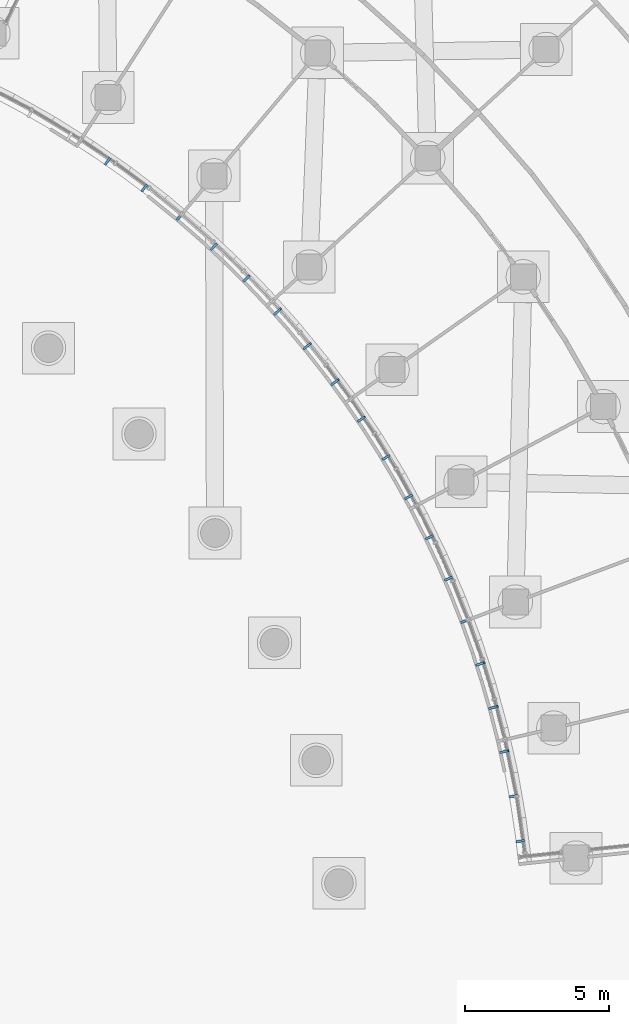
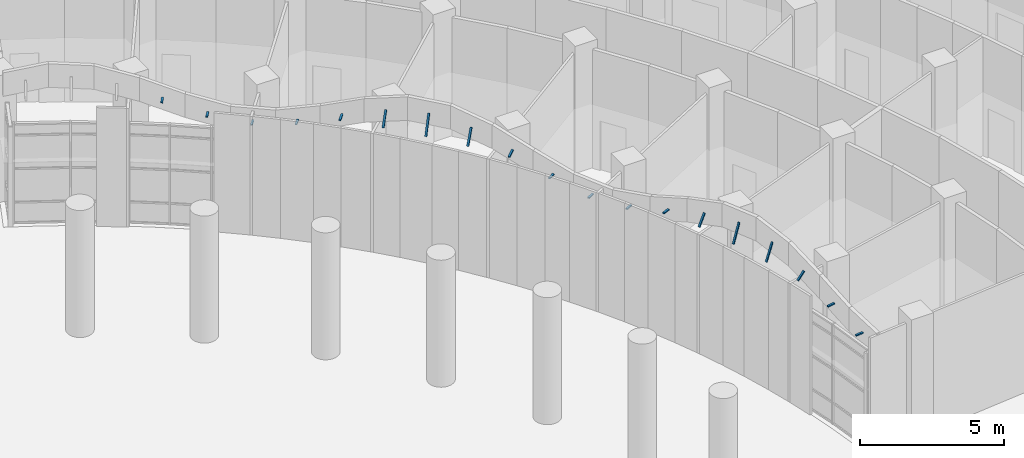
# One storey, part 112 of 146: 19 discrete accessories.
"""IFC4 building model written with IfcOpenShell, lengths in metres."""

from ifc_helpers import new_model, si_unit, direction, frame, origin, origin_2d, place, context, subcontext, project, spatial, rectangle, extrude, material, material_profile, profile_set, type_object, element, save


model = new_model("IFC4")

# Units and contexts
model_context = context("Model", 3, precision=1e-05, world=origin(), true_north=direction((0.0, 1.0)))
body_context = subcontext(model_context, "Body", "Model", "MODEL_VIEW")
ifc_project = project(units=[si_unit("LENGTHUNIT", "METRE"), si_unit("AREAUNIT", "SQUARE_METRE"), si_unit("VOLUMEUNIT", "CUBIC_METRE"), si_unit("PLANEANGLEUNIT", "RADIAN"), si_unit("MASSUNIT", "GRAM", prefix="KILO")], contexts=[model_context])

# Site, building, storey
site_placement = place(None, origin())
site = spatial("IfcSite", under=ifc_project, at=site_placement, CompositionType="ELEMENT")
building_placement = place(site_placement, origin())
building = spatial("IfcBuilding", under=site, at=building_placement, Name="Bougainvillea Quay General Hospital", CompositionType="ELEMENT")
storey_placement = place(building_placement, origin())
storey = spatial("IfcBuildingStorey", under=building, at=storey_placement, Name="L00", CompositionType="ELEMENT", Elevation=0.0)

# Discrete accessories
ifc_material = material(Name="Stainless steel bracket, grade 316", Category="steel")
ifc_material_profile = material_profile(ifc_material, rectangle(XDim=0.080078125, YDim=0.050048828125, at=origin_2d()))
ifc_profile_set = profile_set([ifc_material_profile], Name="Stainless steel bracket, grade 316")
discrete_accessory_type = type_object("IfcDiscreteAccessoryType", Name="Stainless steel stand-off bracket 80x50", PredefinedType="BRACKET", material=ifc_profile_set)
discrete_accessory_1_placement = place(storey_placement, frame((128.60205078125, 49.909423828125, 5.317138671875), z_axis=(0.570563582873, 0.821253430982, 0.0), x_axis=(-0.821253430982, 0.570563582873, 0.0)))
element("IfcDiscreteAccessory", 1, at=discrete_accessory_1_placement, inside=storey, type_object=discrete_accessory_type, Name="Fascia bracket a21 4", PredefinedType="BRACKET", context=body_context, shape_type="SweptSolid", body=[
    extrude(rectangle(XDim=0.080078125, YDim=0.050048828125, at=origin_2d()), origin(), (0.0, 0.0, 1.0), 0.300048828125),
])
for number, where, z_axis, x_axis, name in (
    (2, (129.8759765625, 48.979248046875, 4.83154296875), (0.60817512943, 0.793802879778, 0.0), (-0.793802879778, 0.60817512943, 0.0), "Fascia bracket a21 5"),
    (3, (131.10546875, 47.990966796875, 4.658203125), (0.644737187245, 0.764404316696, 0.0), (-0.764404316696, 0.644737187245, 0.0), "Fascia bracket a21 6"),
):
    element("IfcDiscreteAccessory", number, at=place(storey_placement, frame(where, z_axis=z_axis, x_axis=x_axis)), inside=storey, type_object=discrete_accessory_type, Name=name, PredefinedType="BRACKET", context=body_context, shape_type="SweptSolid", body=[
        extrude(rectangle(XDim=0.080078125, YDim=0.050048828125, at=origin_2d()), origin(), (0.0, 0.0, 1.0), 0.2998046875),
    ])
discrete_accessory_2_placement = place(storey_placement, frame((132.28759765625, 46.946533203125, 4.892578125), z_axis=(0.679326911175, 0.733835777101, 0.0), x_axis=(-0.733835777101, 0.679326911175, 0.0)))
element("IfcDiscreteAccessory", 4, at=discrete_accessory_2_placement, inside=storey, type_object=discrete_accessory_type, Name="Fascia bracket a21 7", PredefinedType="BRACKET", context=body_context, shape_type="SweptSolid", body=[
    extrude(rectangle(XDim=0.080078125, YDim=0.050048828125, at=origin_2d()), origin(), (0.0, 0.0, 1.0), 0.300048828125),
])
discrete_accessory_3_placement = place(storey_placement, frame((133.420166015625, 45.8486328125, 5.340087890625), z_axis=(0.696004046681, 0.685663415131, 0.213176096584), x_axis=(-0.7017950207, 0.712378936326, 0.0)))
element("IfcDiscreteAccessory", 5, at=discrete_accessory_3_placement, inside=storey, type_object=discrete_accessory_type, Name="Fascia bracket a21 8", PredefinedType="BRACKET", context=body_context, shape_type="SweptSolid", body=[
    extrude(rectangle(XDim=0.080078125, YDim=0.050048828125, at=origin_2d()), origin(), (0.0, 0.0, 1.0), 0.306884765625),
])
discrete_accessory_4_placement = place(storey_placement, frame((134.50048828125, 44.69921875, 5.340087890625), z_axis=(0.344201141092, 0.308840586706, 0.886647092407), x_axis=(-0.667840421065, 0.744304488763, 0.0)))
element("IfcDiscreteAccessory", 6, at=discrete_accessory_4_placement, inside=storey, type_object=discrete_accessory_type, Name="Fascia bracket a21 9", PredefinedType="BRACKET", context=body_context, shape_type="SweptSolid", body=[
    extrude(rectangle(XDim=0.080078125, YDim=0.050048828125, at=origin_2d()), origin(), (0.0, 0.0, 1.0), 0.64892578125),
])
discrete_accessory_5_placement = place(storey_placement, frame((135.5263671875, 43.5009765625, 5.340087890625), z_axis=(0.27134310376, 0.221748881014, 0.9365897468), x_axis=(-0.632794767271, 0.774319560979, 0.0)))
element("IfcDiscreteAccessory", 7, at=discrete_accessory_5_placement, inside=storey, type_object=discrete_accessory_type, Name="Fascia bracket a21 10", PredefinedType="BRACKET", context=body_context, shape_type="SweptSolid", body=[
    extrude(rectangle(XDim=0.080078125, YDim=0.050048828125, at=origin_2d()), origin(), (0.0, 0.0, 1.0), 0.8564453125),
])
discrete_accessory_6_placement = place(storey_placement, frame((136.49560546875, 42.256591796875, 5.340087890625), z_axis=(0.349041178695, 0.259125905481, 0.900568720689), x_axis=(-0.596084090117, 0.802922012097, 0.0)))
element("IfcDiscreteAccessory", 8, at=discrete_accessory_6_placement, inside=storey, type_object=discrete_accessory_type, Name="Fascia bracket a21 11", PredefinedType="BRACKET", context=body_context, shape_type="SweptSolid", body=[
    extrude(rectangle(XDim=0.080078125, YDim=0.050048828125, at=origin_2d()), origin(), (0.0, 0.0, 1.0), 0.689697265625),
])
discrete_accessory_7_placement = place(storey_placement, frame((137.406005859375, 40.968505859375, 5.340087890625), z_axis=(0.759917451398, 0.51083754093, 0.40195829863), x_axis=(-0.557891216139, 0.82991408649, 0.0)))
element("IfcDiscreteAccessory", 9, at=discrete_accessory_7_placement, inside=storey, type_object=discrete_accessory_type, Name="Fascia bracket a21 12", PredefinedType="BRACKET", context=body_context, shape_type="SweptSolid", body=[
    extrude(rectangle(XDim=0.080078125, YDim=0.050048828125, at=origin_2d()), origin(), (0.0, 0.0, 1.0), 0.327392578125),
])
discrete_accessory_8_placement = place(storey_placement, frame((138.255615234375, 39.639404296875, 4.94287109375), z_axis=(0.85460693144, 0.51927544977, 0.0), x_axis=(-0.51927544977, 0.85460693144, 0.0)))
element("IfcDiscreteAccessory", 10, at=discrete_accessory_8_placement, inside=storey, type_object=discrete_accessory_type, Name="Fascia bracket a21 13", PredefinedType="BRACKET", context=body_context, shape_type="SweptSolid", body=[
    extrude(rectangle(XDim=0.080078125, YDim=0.050048828125, at=origin_2d()), origin(), (0.0, 0.0, 1.0), 0.300048828125),
])
discrete_accessory_9_placement = place(storey_placement, frame((139.042724609375, 38.2724609375, 4.665283203125), z_axis=(0.877895572914, 0.478852130681, 0.0), x_axis=(-0.478852130681, 0.877895572914, 0.0)))
element("IfcDiscreteAccessory", 11, at=discrete_accessory_9_placement, inside=storey, type_object=discrete_accessory_type, Name="Fascia bracket a21 14", PredefinedType="BRACKET", context=body_context, shape_type="SweptSolid", body=[
    extrude(rectangle(XDim=0.080078125, YDim=0.050048828125, at=origin_2d()), origin(), (0.0, 0.0, 1.0), 0.2998046875),
])
for number, where, z_axis, x_axis, name in (
    (12, (139.765380859375, 36.870361328125, 4.791259765625), (0.899096629862, 0.437750214358, 0.0), (-0.437750214358, 0.899096629862, 0.0), "Fascia bracket a21 15"),
    (13, (140.42236328125, 35.436279296875, 5.251708984375), (0.918512637313, 0.39539162244, 0.0), (-0.39539162244, 0.918512637313, 0.0), "Fascia bracket a21 16"),
):
    element("IfcDiscreteAccessory", number, at=place(storey_placement, frame(where, z_axis=z_axis, x_axis=x_axis)), inside=storey, type_object=discrete_accessory_type, Name=name, PredefinedType="BRACKET", context=body_context, shape_type="SweptSolid", body=[
        extrude(rectangle(XDim=0.080078125, YDim=0.050048828125, at=origin_2d()), origin(), (0.0, 0.0, 1.0), 0.300048828125),
    ])
discrete_accessory_10_placement = place(storey_placement, frame((141.01220703125, 33.973388671875, 5.340087890625), z_axis=(0.516253209802, 0.194380556386, 0.834085620706), x_axis=(-0.352371686123, 0.935860136355, 0.0)))
element("IfcDiscreteAccessory", 14, at=discrete_accessory_10_placement, inside=storey, type_object=discrete_accessory_type, Name="Fascia bracket a21 17", PredefinedType="BRACKET", context=body_context, shape_type="SweptSolid", body=[
    extrude(rectangle(XDim=0.080078125, YDim=0.050048828125, at=origin_2d()), origin(), (0.0, 0.0, 1.0), 0.5439453125),
])
discrete_accessory_11_placement = place(storey_placement, frame((141.533447265625, 32.484619140625, 5.340087890625), z_axis=(0.341773916874, 0.110806085967, 0.933226982602), x_axis=(-0.308405198137, 0.951255083436, 0.0)))
element("IfcDiscreteAccessory", 15, at=discrete_accessory_11_placement, inside=storey, type_object=discrete_accessory_type, Name="Fascia bracket a21 18", PredefinedType="BRACKET", context=body_context, shape_type="SweptSolid", body=[
    extrude(rectangle(XDim=0.080078125, YDim=0.050048828125, at=origin_2d()), origin(), (0.0, 0.0, 1.0), 0.8349609375),
])
discrete_accessory_12_placement = place(storey_placement, frame((141.98486328125, 30.97314453125, 5.340087890625), z_axis=(0.375744348603, 0.102965356911, 0.920985515505), x_axis=(-0.264286955841, 0.96444409116, 0.0)))
element("IfcDiscreteAccessory", 16, at=discrete_accessory_12_placement, inside=storey, type_object=discrete_accessory_type, Name="Fascia bracket a21 19", PredefinedType="BRACKET", context=body_context, shape_type="SweptSolid", body=[
    extrude(rectangle(XDim=0.080078125, YDim=0.050048828125, at=origin_2d()), origin(), (0.0, 0.0, 1.0), 0.7705078125),
])
discrete_accessory_13_placement = place(storey_placement, frame((142.365966796875, 29.442626953125, 5.340087890625), z_axis=(0.709534285814, 0.159186591229, 0.686455188944), x_axis=(-0.218911849947, 0.975744639725, 0.0)))
element("IfcDiscreteAccessory", 17, at=discrete_accessory_13_placement, inside=storey, type_object=discrete_accessory_type, Name="Fascia bracket a21 20", PredefinedType="BRACKET", context=body_context, shape_type="SweptSolid", body=[
    extrude(rectangle(XDim=0.080078125, YDim=0.050048828125, at=origin_2d()), origin(), (0.0, 0.0, 1.0), 0.41259765625),
])
for number, where, z_axis, x_axis, name in (
    (18, (142.675537109375, 27.895751953125, 5.07421875), (0.984857215631, 0.173367427214, 0.0), (-0.173367427214, 0.984857215631, 0.0), "Fascia bracket a21 21"),
    (19, (142.9130859375, 26.33642578125, 4.703857421875), (0.991807819427, 0.127738989048, 0.0), (-0.127738989048, 0.991807819427, 0.0), "Fascia bracket a21 22"),
):
    element("IfcDiscreteAccessory", number, at=place(storey_placement, frame(where, z_axis=z_axis, x_axis=x_axis)), inside=storey, type_object=discrete_accessory_type, Name=name, PredefinedType="BRACKET", context=body_context, shape_type="SweptSolid", body=[
        extrude(rectangle(XDim=0.080078125, YDim=0.050048828125, at=origin_2d()), origin(), (0.0, 0.0, 1.0), 0.300048828125),
    ])

save(model, "model.ifc")
